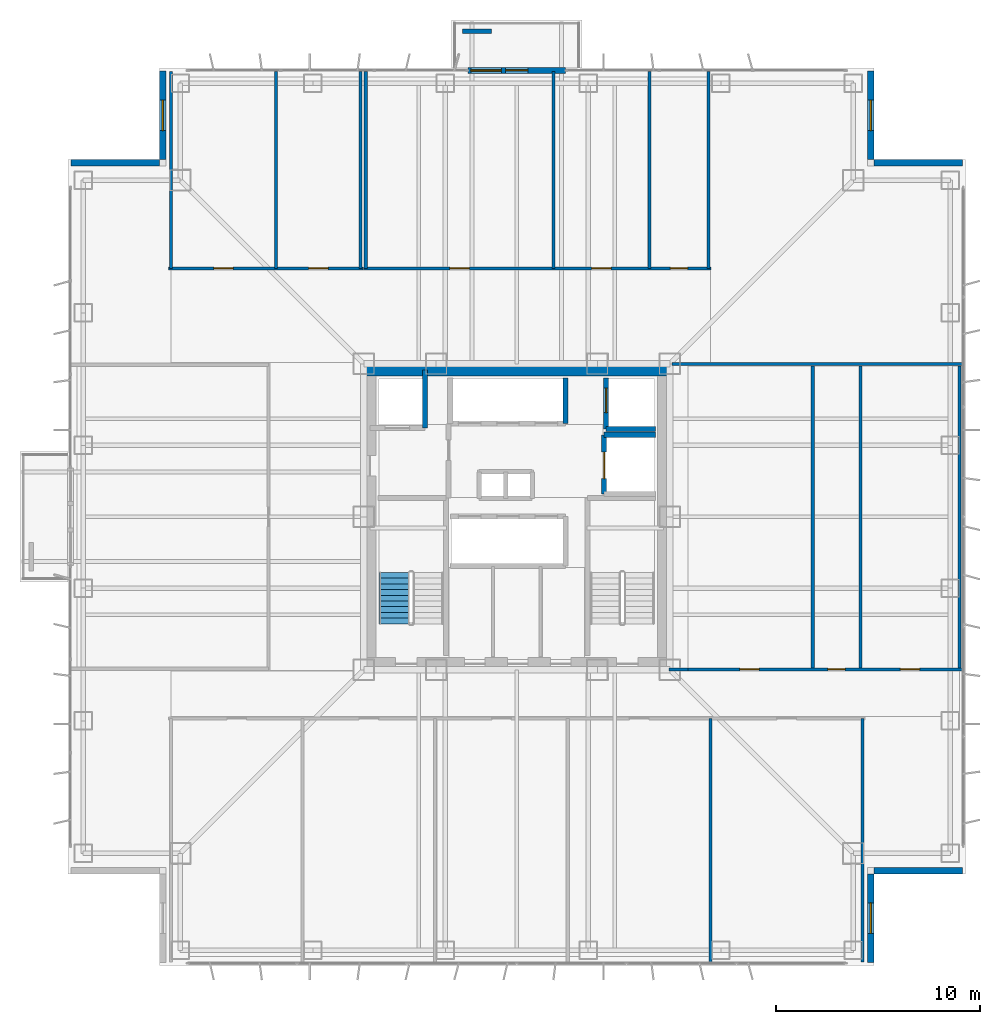
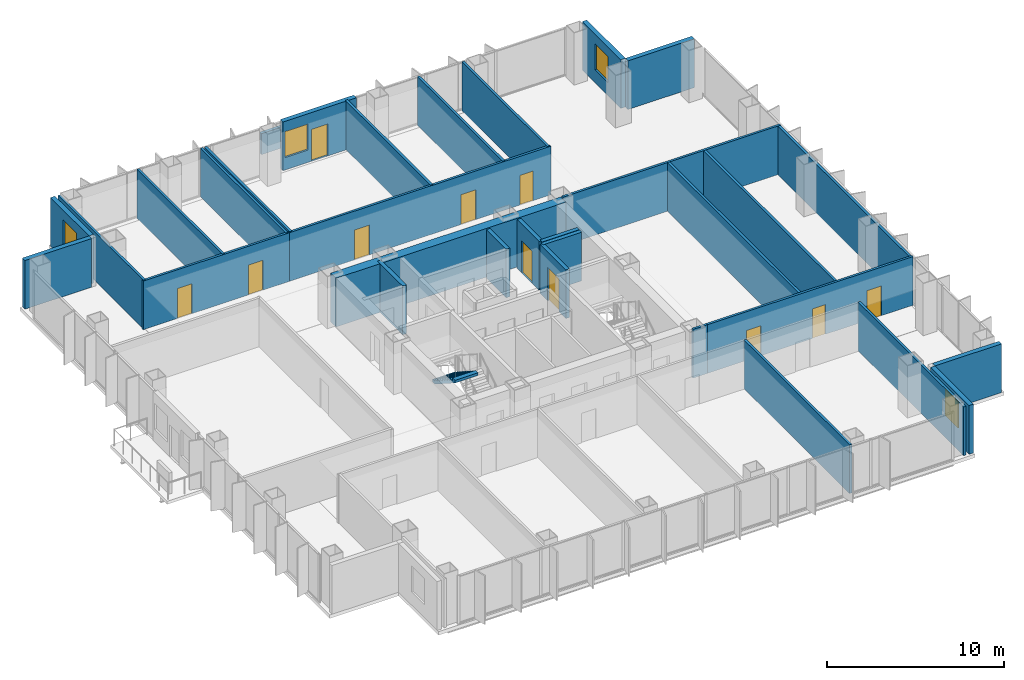
# One storey, part 11 of 15: 32 walls, 11 doors, 4 windows, 1 stair flight, 15 openings, 1 element without a shape of its own.
"""IFC4 building model written with IfcOpenShell, lengths in metres."""

import ifcopenshell
import ifcopenshell.guid

model = None  # the IFC model being written
_history = None  # IfcOwnerHistory: only IFC2X3 demands one
_inside = {}  # id of a spatial element -> (the spatial element, [elements in it])
_under = {}  # id of a project, library or spatial element -> (it, [spatial elements below it])
_declared = {}  # id of a project -> (the project, [libraries it declares])
_typed = {}  # id of a type object -> (the type object, [elements of that type])
_made_of = {}  # id of a material, layer set ... -> (it, [elements and type objects made of it])


def new_model(schema):
    """Start an empty IFC model of exactly this schema.

    Asked for "IFC4X3", IfcOpenShell would pick the latest addendum, in which some entities
    have other attributes; the version numbers below select the first issue.
    IFC2X3 requires an IfcOwnerHistory on every rooted entity: one is made here for all.
    """
    global model, _history
    if schema == "IFC4X3":
        model = ifcopenshell.file(schema_version=(4, 3, 0, 0))
    else:
        model = ifcopenshell.file(schema=schema)
    _inside.clear()
    _under.clear()
    _declared.clear()
    _typed.clear()
    _made_of.clear()
    _history = None
    if model.schema == "IFC2X3":
        org = make("IfcOrganization", Name="unknown")
        user = make(
            "IfcPersonAndOrganization",
            ThePerson=make("IfcPerson", FamilyName="unknown"),
            TheOrganization=org,
        )
        app = make(
            "IfcApplication",
            ApplicationDeveloper=org,
            Version="unknown",
            ApplicationFullName="unknown",
            ApplicationIdentifier="unknown",
        )
        _history = make(
            "IfcOwnerHistory",
            OwningUser=user,
            OwningApplication=app,
            ChangeAction="ADDED",
            CreationDate=0,
        )
    return model


def make(cls, **values):
    """One entity of the class cls with the attributes given. An attribute that is None is left unset."""
    return model.create_entity(
        cls, **{name: value for name, value in values.items() if value is not None}
    )


def rooted(cls, **values):
    """An entity with a GlobalId (a new one), such as an element, a storey or a relation."""
    return make(cls, GlobalId=ifcopenshell.guid.new(), OwnerHistory=_history, **values)


def si_unit(unit_type, name, prefix=None):
    """IfcSIUnit, for example si_unit("LENGTHUNIT", "METRE", prefix="MILLI")."""
    return make("IfcSIUnit", UnitType=unit_type, Prefix=prefix, Name=name)


def assignment(units):
    """IfcUnitAssignment: the units of a project."""
    return None if units is None else make("IfcUnitAssignment", Units=units)


def point(xyz):
    """IfcCartesianPoint."""
    return None if xyz is None else make("IfcCartesianPoint", Coordinates=xyz)


def direction(xyz):
    """IfcDirection."""
    return None if xyz is None else make("IfcDirection", DirectionRatios=xyz)


def frame(location, z_axis=None, x_axis=None):
    """IfcAxis2Placement3D, a coordinate frame: its origin and axes. An axis left out is left unset."""
    return make(
        "IfcAxis2Placement3D",
        Location=point(location),
        Axis=direction(z_axis),
        RefDirection=direction(x_axis),
    )


def frame_2d(location, x_axis=None):
    """IfcAxis2Placement2D, a coordinate frame in the plane: its origin and x axis."""
    return make(
        "IfcAxis2Placement2D", Location=point(location), RefDirection=direction(x_axis)
    )


def origin():
    """The frame at (0, 0, 0) with its axes left unset."""
    return frame((0.0, 0.0, 0.0))


def place(relative_to, where):
    """IfcLocalPlacement: puts the frame where relative to a parent placement (None: the world)."""
    return make(
        "IfcLocalPlacement", PlacementRelTo=relative_to, RelativePlacement=where
    )


def context(
    kind, dimensions, precision=None, world=None, true_north=None, identifier=None
):
    """IfcGeometricRepresentationContext, for example the 3D "Model" context."""
    return make(
        "IfcGeometricRepresentationContext",
        ContextIdentifier=identifier,
        ContextType=kind,
        CoordinateSpaceDimension=dimensions,
        Precision=precision,
        WorldCoordinateSystem=world,
        TrueNorth=true_north,
    )


def subcontext(parent, identifier, kind, view, scale=None):
    """IfcGeometricRepresentationSubContext, for example "Body" below "Model"."""
    return make(
        "IfcGeometricRepresentationSubContext",
        ContextIdentifier=identifier,
        ContextType=kind,
        ParentContext=parent,
        TargetScale=scale,
        TargetView=view,
    )


def project(units=None, contexts=None):
    """IfcProject with its units and contexts."""
    return rooted(
        "IfcProject",
        Name="project",
        RepresentationContexts=contexts,
        UnitsInContext=assignment(units),
    )


def spatial(cls, under=None, at=None, **own):
    """A site, building, storey or space (cls), placed at a placement, below another one or the project."""
    s = rooted(cls, ObjectPlacement=at, **own)
    if under is not None:
        _under.setdefault(under.id(), (under, []))[1].append(s)
    return s


def polyline(points):
    """IfcPolyline through the points."""
    return make("IfcPolyline", Points=[point(p) for p in points])


def profile(cls, at=None, kind="AREA", **sizes):
    """A parametric profile (cls). Its sizes go by their IFC names, for example OverallWidth=200.0."""
    return make(cls, ProfileType=kind, Position=at, **sizes)


def rectangle(**sizes):
    """IfcRectangleProfileDef."""
    return profile("IfcRectangleProfileDef", **sizes)


def outline(outer, holes=None, kind="AREA"):
    """IfcArbitraryClosedProfileDef: a profile drawn as a closed curve; with holes, ...WithVoids."""
    if holes is None:
        return make("IfcArbitraryClosedProfileDef", ProfileType=kind, OuterCurve=outer)
    return make(
        "IfcArbitraryProfileDefWithVoids",
        ProfileType=kind,
        OuterCurve=outer,
        InnerCurves=holes,
    )


def extrude(swept, where, along, depth):
    """IfcExtrudedAreaSolid: the profile swept, set in the frame where, extruded along a direction by depth."""
    return make(
        "IfcExtrudedAreaSolid",
        SweptArea=swept,
        Position=where,
        ExtrudedDirection=direction(along),
        Depth=depth,
    )


def shape(context_of_items, identifier, shape_type, items):
    """IfcShapeRepresentation: the items that make up one representation, for example the "Body"."""
    return make(
        "IfcShapeRepresentation",
        ContextOfItems=context_of_items,
        RepresentationIdentifier=identifier,
        RepresentationType=shape_type,
        Items=items,
    )


def material(Name=None, Category=None):
    """IfcMaterial."""
    return make("IfcMaterial", Name=Name, Category=Category)


def layer(
    of_material, thickness, ventilated=None, Name=None, Category=None, Priority=None
):
    """IfcMaterialLayer: one layer of a wall or slab, of a material (None: an air gap)."""
    return make(
        "IfcMaterialLayer",
        Material=of_material,
        LayerThickness=thickness,
        IsVentilated=ventilated,
        Name=Name,
        Category=Category,
        Priority=Priority,
    )


def layer_set(layers, Name=None):
    """IfcMaterialLayerSet."""
    return make("IfcMaterialLayerSet", MaterialLayers=layers, LayerSetName=Name)


def made_of(thing, what):
    """Note that an element or type object is made of a material, layer set ...; save() writes the relation."""
    if what is not None:
        _made_of.setdefault(what.id(), (what, []))[1].append(thing)
    return thing


def type_object(cls, material=None, **own):
    """A type object (cls), such as IfcWallType, which elements share."""
    return made_of(rooted(cls, **own), material)


def element(
    cls,
    number,
    at=None,
    inside=None,
    cuts=None,
    type_object=None,
    material=None,
    context=None,
    identifier="Body",
    shape_type=None,
    held_by="IfcProductDefinitionShape",
    body=None,
    shapes=None,
    **own,
):
    """One element of the class cls, such as IfcWall. Its Tag is "e" and its number.

    at: its placement. inside: the storey or other place that contains it. cuts: it is an
    opening in that element (IfcRelVoidsElement). A single representation is given by context,
    identifier, shape_type and body (its items); several are given by shapes. held_by: the class
    of the entity that holds the representations. save() writes the other relations.
    """
    e = rooted(cls, Tag="e%d" % number, ObjectPlacement=at, **own)
    if body is not None:
        shapes = [shape(context, identifier, shape_type, body)]
    if shapes is not None:
        e.Representation = make(held_by, Representations=shapes)
    if inside is not None:
        _inside.setdefault(inside.id(), (inside, []))[1].append(e)
    if cuts is not None:
        rooted(
            "IfcRelVoidsElement", RelatingBuildingElement=cuts, RelatedOpeningElement=e
        )
    if type_object is not None:
        _typed.setdefault(type_object.id(), (type_object, []))[1].append(e)
    return made_of(e, material)


def fill(opening, filler):
    """IfcRelFillsElement: the door or window that sits in an opening."""
    return rooted(
        "IfcRelFillsElement",
        RelatingOpeningElement=opening,
        RelatedBuildingElement=filler,
    )


def aggregate(whole, parts):
    """IfcRelAggregates: a whole, such as a stair, and the parts it consists of."""
    return rooted("IfcRelAggregates", RelatingObject=whole, RelatedObjects=parts)


def save(model, path):
    """Write the relations noted so far, then the file.

    IfcRelAggregates (storeys below a building ...), IfcRelContainedInSpatialStructure (elements
    in a storey), IfcRelDefinesByType, IfcRelAssociatesMaterial and IfcRelDeclares: one each for
    every whole, place, type object, material and project.
    """
    for whole, parts in _under.values():
        aggregate(whole, parts)
    for where, things in _inside.values():
        rooted(
            "IfcRelContainedInSpatialStructure",
            RelatedElements=things,
            RelatingStructure=where,
        )
    for kind, things in _typed.values():
        rooted("IfcRelDefinesByType", RelatedObjects=things, RelatingType=kind)
    for what, things in _made_of.values():
        rooted("IfcRelAssociatesMaterial", RelatedObjects=things, RelatingMaterial=what)
    for by, libraries in _declared.values():
        rooted("IfcRelDeclares", RelatingContext=by, RelatedDefinitions=libraries)
    model.write(path)


model = new_model("IFC4")

# Units and contexts
model_context = context("Model", 3, precision=1e-05, world=origin(), true_north=direction((0.0, 1.0)))
body_context = subcontext(model_context, "Body", "Model", "MODEL_VIEW")
ifc_project = project(units=[si_unit("LENGTHUNIT", "METRE"), si_unit("AREAUNIT", "SQUARE_METRE"), si_unit("VOLUMEUNIT", "CUBIC_METRE"), si_unit("PLANEANGLEUNIT", "RADIAN"), si_unit("MASSUNIT", "GRAM", prefix="KILO")], contexts=[model_context])

# Site, building, storey
site_placement = place(None, origin())
site = spatial("IfcSite", under=ifc_project, at=site_placement, CompositionType="ELEMENT")
building_placement = place(site_placement, origin())
building = spatial("IfcBuilding", under=site, at=building_placement, Name="Trevonay Congress Spire", CompositionType="ELEMENT")
storey_placement = place(building_placement, frame((0.0, 0.0, 115.60009765625)))
storey = spatial("IfcBuildingStorey", under=building, at=storey_placement, Name="L29", CompositionType="ELEMENT", Elevation=115.60009765625)

# Wall
ifc_material_1 = material(Name="Concrete C60/75", Category="concrete")
ifc_layer_1 = layer(ifc_material_1, 0.60009765625, Name="Concrete C60/75")
ifc_layer_set_1 = layer_set([ifc_layer_1], Name="Concrete C60/75")
wall_type_1 = type_object("IfcWallType", Name="WAL-CORE-600", PredefinedType="SHEAR", material=ifc_layer_set_1)
wall_1_placement = place(storey_placement, frame((-7.5, 7.199951171875, 0.0), z_axis=(0.0, 0.0, 1.0), x_axis=(1.0, 0.0, 0.0)))
element("IfcWall", 1, at=wall_1_placement, inside=storey, type_object=wall_type_1, Name="L29 North structural core shear wall", PredefinedType="SHEAR", context=body_context, shape_type="SweptSolid", body=[
    extrude(rectangle(XDim=15.0, YDim=0.60009765625, at=frame_2d((7.5, 0.0))), origin(), (0.0, 0.0, 1.0), 3.35986328125),
])

# Wall, openings, doors
ifc_material_2 = material(Name="Concrete C40/50", Category="concrete")
ifc_layer_2 = layer(ifc_material_2, 0.14990234375, Name="Concrete C40/50")
ifc_layer_set_2 = layer_set([ifc_layer_2], Name="Concrete C40/50")
wall_type_2 = type_object("IfcWallType", Name="WAL-CORR-150", PredefinedType="PARTITIONING", material=ifc_layer_set_2)
wall_2_placement = place(storey_placement, frame((-17.070068359375, 12.179931640625, 0.0), z_axis=(0.0, 0.0, 1.0), x_axis=(1.0, 0.0, 0.0)))
wall_2 = element("IfcWall", 2, at=wall_2_placement, inside=storey, type_object=wall_type_2, Name="L29 interior wall WP-L29NW-COR", PredefinedType="PARTITIONING", context=body_context, shape_type="SweptSolid", body=[
    extrude(rectangle(XDim=9.5400390625, YDim=0.14990234375, at=frame_2d((4.77001953125, 0.0))), origin(), (0.0, 0.0, 1.0), 3.35986328125),
])
opening_1_placement = place(wall_2_placement, frame((2.219970703125, 0.0, 0.0)))
opening_1 = element("IfcOpeningElement", 3, at=opening_1_placement, cuts=wall_2, Name="Opening D07", PredefinedType="OPENING", context=body_context, shape_type="SweptSolid", body=[
    extrude(rectangle(XDim=0.949951171875, YDim=2.06005859375, at=frame_2d((0.47509765625, 1.030029296875))), frame((0.0, 0.0849609375, 0.0), z_axis=(0.0, -1.0, 0.0), x_axis=(1.0, 0.0, 0.0)), (0.0, 0.0, 1.0), 0.169921875),
])
opening_2_placement = place(wall_2_placement, frame((6.8701171875, 0.0, 0.0)))
opening_2 = element("IfcOpeningElement", 4, at=opening_2_placement, cuts=wall_2, Name="Opening D07", PredefinedType="OPENING", context=body_context, shape_type="SweptSolid", body=[
    extrude(rectangle(XDim=0.949951171875, YDim=2.06005859375, at=frame_2d((0.47509765625, 1.030029296875))), frame((0.0, 0.0849609375, 0.0), z_axis=(0.0, -1.0, 0.0), x_axis=(1.0, 0.0, 0.0)), (0.0, 0.0, 1.0), 0.169921875),
])
ifc_material_3 = material(Name="Pale Anodised Aluminium EN AW-6063-T6", Category="aluminium")
door_type_1 = type_object("IfcDoorType", Name="DOR-OFFICE-95", OperationType="NOTDEFINED", PredefinedType="DOOR", material=ifc_material_3)
door_1_placement = place(opening_1_placement, origin())
door_1 = element("IfcDoor", 5, at=door_1_placement, inside=storey, type_object=door_type_1, Name="L29 Archive Registry Office Door", OperationType="SINGLE_SWING_RIGHT", OverallHeight=2.06005859375, OverallWidth=0.949951171875, PredefinedType="DOOR", context=body_context, shape_type="SweptSolid", body=[
    extrude(rectangle(XDim=0.949951171875, YDim=2.06005859375, at=frame_2d((0.47509765625, 1.030029296875))), frame((0.0, 0.02490234375, 0.0), z_axis=(0.0, -1.0, 0.0), x_axis=(1.0, 0.0, 0.0)), (0.0, 0.0, 1.0), 0.050048828125),
])
fill(opening_1, door_1)
door_2_placement = place(opening_2_placement, origin())
door_2 = element("IfcDoor", 6, at=door_2_placement, inside=storey, type_object=door_type_1, Name="L29 Staff Coffee Kitchen Door", OperationType="SINGLE_SWING_LEFT", OverallHeight=2.06005859375, OverallWidth=0.949951171875, PredefinedType="DOOR", context=body_context, shape_type="SweptSolid", body=[
    extrude(rectangle(XDim=0.949951171875, YDim=2.06005859375, at=frame_2d((0.47509765625, 1.030029296875))), frame((0.0, 0.02490234375, 0.0), z_axis=(0.0, -1.0, 0.0), x_axis=(1.0, 0.0, 0.0)), (0.0, 0.0, 1.0), 0.050048828125),
])
fill(opening_2, door_2)

wall_3_placement = place(storey_placement, frame((-7.52001953125, 12.179931640625, 0.0), z_axis=(0.0, 0.0, 1.0), x_axis=(1.0, 0.0, 0.0)))
wall_3 = element("IfcWall", 7, at=wall_3_placement, inside=storey, type_object=wall_type_2, Name="L29 interior wall WP-L29NE-COR", PredefinedType="PARTITIONING", context=body_context, shape_type="SweptSolid", body=[
    extrude(rectangle(XDim=17.0400390625, YDim=0.14990234375, at=frame_2d((8.52001953125, 0.0))), origin(), (0.0, 0.0, 1.0), 3.35986328125),
])
opening_3_placement = place(wall_3_placement, frame((4.2451171875, 0.0, 0.0)))
opening_3 = element("IfcOpeningElement", 8, at=opening_3_placement, cuts=wall_3, Name="Opening D07", PredefinedType="OPENING", context=body_context, shape_type="SweptSolid", body=[
    extrude(rectangle(XDim=0.949951171875, YDim=2.06005859375, at=frame_2d((0.47509765625, 1.030029296875))), frame((0.0, 0.0849609375, 0.0), z_axis=(0.0, -1.0, 0.0), x_axis=(1.0, 0.0, 0.0)), (0.0, 0.0, 1.0), 0.169921875),
])
opening_4_placement = place(wall_3_placement, frame((11.195068359375, 0.0, 0.0)))
opening_4 = element("IfcOpeningElement", 9, at=opening_4_placement, cuts=wall_3, Name="Opening D07", PredefinedType="OPENING", context=body_context, shape_type="SweptSolid", body=[
    extrude(rectangle(XDim=0.949951171875, YDim=2.06005859375, at=frame_2d((0.47509765625, 1.030029296875))), frame((0.0, 0.0849609375, 0.0), z_axis=(0.0, -1.0, 0.0), x_axis=(1.0, 0.0, 0.0)), (0.0, 0.0, 1.0), 0.169921875),
])
opening_5_placement = place(wall_3_placement, frame((15.044921875, 0.0, 0.0)))
opening_5 = element("IfcOpeningElement", 10, at=opening_5_placement, cuts=wall_3, Name="Opening D10", PredefinedType="OPENING", context=body_context, shape_type="SweptSolid", body=[
    extrude(rectangle(XDim=0.85009765625, YDim=2.050048828125, at=frame_2d((0.425048828125, 1.02490234375))), frame((0.0, 0.0849609375, 0.0), z_axis=(0.0, -1.0, 0.0), x_axis=(1.0, 0.0, 0.0)), (0.0, 0.0, 1.0), 0.169921875),
])
door_3_placement = place(opening_3_placement, origin())
door_3 = element("IfcDoor", 11, at=door_3_placement, inside=storey, type_object=door_type_1, Name="L29 North-East Policy Analysts Office Door", OperationType="SINGLE_SWING_RIGHT", OverallHeight=2.06005859375, OverallWidth=0.949951171875, PredefinedType="DOOR", context=body_context, shape_type="SweptSolid", body=[
    extrude(rectangle(XDim=0.949951171875, YDim=2.06005859375, at=frame_2d((0.47509765625, 1.030029296875))), frame((0.0, 0.02490234375, 0.0), z_axis=(0.0, -1.0, 0.0), x_axis=(1.0, 0.0, 0.0)), (0.0, 0.0, 1.0), 0.050048828125),
])
fill(opening_3, door_3)
door_4_placement = place(opening_4_placement, origin())
door_4 = element("IfcDoor", 12, at=door_4_placement, inside=storey, type_object=door_type_1, Name="L29 Project Review Room Door", OperationType="SINGLE_SWING_LEFT", OverallHeight=2.06005859375, OverallWidth=0.949951171875, PredefinedType="DOOR", context=body_context, shape_type="SweptSolid", body=[
    extrude(rectangle(XDim=0.949951171875, YDim=2.06005859375, at=frame_2d((0.47509765625, 1.030029296875))), frame((0.0, 0.02490234375, 0.0), z_axis=(0.0, -1.0, 0.0), x_axis=(1.0, 0.0, 0.0)), (0.0, 0.0, 1.0), 0.050048828125),
])
fill(opening_4, door_4)
door_type_2 = type_object("IfcDoorType", Name="DOR-WC-85", OperationType="NOTDEFINED", PredefinedType="DOOR", material=ifc_material_3)
door_5_placement = place(opening_5_placement, origin())
door_5 = element("IfcDoor", 13, at=door_5_placement, inside=storey, type_object=door_type_2, Name="L29 Female Restroom WC Door", OperationType="SINGLE_SWING_RIGHT", OverallHeight=2.050048828125, OverallWidth=0.85009765625, PredefinedType="DOOR", context=body_context, shape_type="SweptSolid", body=[
    extrude(rectangle(XDim=0.85009765625, YDim=2.050048828125, at=frame_2d((0.425048828125, 1.02490234375))), frame((0.0, 0.02490234375, 0.0), z_axis=(0.0, -1.0, 0.0), x_axis=(1.0, 0.0, 0.0)), (0.0, 0.0, 1.0), 0.050048828125),
])
fill(opening_5, door_5)

# Wall
wall_4_placement = place(storey_placement, frame((7.449951171875, -7.47998046875, 0.0), z_axis=(0.0, 0.0, 1.0), x_axis=(1.0, 0.0, 0.0)))
element("IfcWall", 14, at=wall_4_placement, inside=storey, type_object=wall_type_2, Name="L29 interior wall WP-L29E-STUB", PredefinedType="PARTITIONING", context=body_context, shape_type="SweptSolid", body=[
    extrude(rectangle(XDim=0.949951171875, YDim=0.14990234375, at=frame_2d((0.47509765625, 0.0))), origin(), (0.0, 0.0, 1.0), 3.35986328125),
])

# Wall, openings, doors
wall_5_placement = place(storey_placement, frame((8.280029296875, -7.47998046875, 0.0), z_axis=(0.0, 0.0, 1.0), x_axis=(1.0, 0.0, 0.0)))
wall_5 = element("IfcWall", 15, at=wall_5_placement, inside=storey, type_object=wall_type_2, Name="L29 interior wall WP-L29E-COR", PredefinedType="PARTITIONING", context=body_context, shape_type="SweptSolid", body=[
    extrude(rectangle(XDim=13.5400390625, YDim=0.14990234375, at=frame_2d((6.77001953125, 0.0))), origin(), (0.0, 0.0, 1.0), 3.35986328125),
])
opening_6_placement = place(wall_5_placement, frame((2.655029296875, 0.0, 0.0)))
opening_6 = element("IfcOpeningElement", 16, at=opening_6_placement, cuts=wall_5, Name="Opening D07", PredefinedType="OPENING", context=body_context, shape_type="SweptSolid", body=[
    extrude(rectangle(XDim=0.949951171875, YDim=2.06005859375, at=frame_2d((0.47509765625, 1.030029296875))), frame((0.0, 0.0849609375, 0.0), z_axis=(0.0, -1.0, 0.0), x_axis=(1.0, 0.0, 0.0)), (0.0, 0.0, 1.0), 0.169921875),
])
opening_7_placement = place(wall_5_placement, frame((6.969970703125, 0.0, 0.0)))
opening_7 = element("IfcOpeningElement", 17, at=opening_7_placement, cuts=wall_5, Name="Opening D10", PredefinedType="OPENING", context=body_context, shape_type="SweptSolid", body=[
    extrude(rectangle(XDim=0.85009765625, YDim=2.050048828125, at=frame_2d((0.425048828125, 1.02490234375))), frame((0.0, 0.0849609375, 0.0), z_axis=(0.0, -1.0, 0.0), x_axis=(1.0, 0.0, 0.0)), (0.0, 0.0, 1.0), 0.169921875),
])
opening_8_placement = place(wall_5_placement, frame((10.52001953125, 0.0, 0.0)))
opening_8 = element("IfcOpeningElement", 18, at=opening_8_placement, cuts=wall_5, Name="Opening D07", PredefinedType="OPENING", context=body_context, shape_type="SweptSolid", body=[
    extrude(rectangle(XDim=0.949951171875, YDim=2.06005859375, at=frame_2d((0.47509765625, 1.030029296875))), frame((0.0, 0.0849609375, 0.0), z_axis=(0.0, -1.0, 0.0), x_axis=(1.0, 0.0, 0.0)), (0.0, 0.0, 1.0), 0.169921875),
])
door_6_placement = place(opening_6_placement, origin())
door_6 = element("IfcDoor", 19, at=door_6_placement, inside=storey, type_object=door_type_1, Name="L29 East Secretariat Office Door", OperationType="SINGLE_SWING_LEFT", OverallHeight=2.06005859375, OverallWidth=0.949951171875, PredefinedType="DOOR", context=body_context, shape_type="SweptSolid", body=[
    extrude(rectangle(XDim=0.949951171875, YDim=2.06005859375, at=frame_2d((0.47509765625, 1.030029296875))), frame((0.0, 0.02490234375, 0.0), z_axis=(0.0, -1.0, 0.0), x_axis=(1.0, 0.0, 0.0)), (0.0, 0.0, 1.0), 0.050048828125),
])
fill(opening_6, door_6)
door_7_placement = place(opening_8_placement, origin())
door_7 = element("IfcDoor", 20, at=door_7_placement, inside=storey, type_object=door_type_1, Name="L29 Floor Supplies and Copy Room Door", OperationType="SINGLE_SWING_LEFT", OverallHeight=2.06005859375, OverallWidth=0.949951171875, PredefinedType="DOOR", context=body_context, shape_type="SweptSolid", body=[
    extrude(rectangle(XDim=0.949951171875, YDim=2.06005859375, at=frame_2d((0.47509765625, 1.030029296875))), frame((0.0, 0.02490234375, 0.0), z_axis=(0.0, -1.0, 0.0), x_axis=(1.0, 0.0, 0.0)), (0.0, 0.0, 1.0), 0.050048828125),
])
fill(opening_8, door_7)
door_8_placement = place(opening_7_placement, origin())
door_8 = element("IfcDoor", 21, at=door_8_placement, inside=storey, type_object=door_type_2, Name="L29 Male Restroom WC Door", OperationType="SINGLE_SWING_RIGHT", OverallHeight=2.050048828125, OverallWidth=0.85009765625, PredefinedType="DOOR", context=body_context, shape_type="SweptSolid", body=[
    extrude(rectangle(XDim=0.85009765625, YDim=2.050048828125, at=frame_2d((0.425048828125, 1.02490234375))), frame((0.0, 0.02490234375, 0.0), z_axis=(0.0, -1.0, 0.0), x_axis=(1.0, 0.0, 0.0)), (0.0, 0.0, 1.0), 0.050048828125),
])
fill(opening_7, door_8)

# Wall, openings, door, window
ifc_material_4 = material(Name="Precast concrete C40/50", Category="concrete")
ifc_layer_3 = layer(ifc_material_4, 0.300048828125, Name="Precast concrete C40/50")
ifc_layer_set_3 = layer_set([ifc_layer_3], Name="Precast concrete C40/50")
wall_type_3 = type_object("IfcWallType", Name="WAL-EXT-PRECAST-300", PredefinedType="SOLIDWALL", material=ifc_layer_set_3)
wall_6_placement = place(storey_placement, frame((-2.39990234375, 21.8798828125, 0.0), z_axis=(0.0, 0.0, 1.0), x_axis=(1.0, 0.0, 0.0)))
wall_6 = element("IfcWall", 22, at=wall_6_placement, inside=storey, type_object=wall_type_3, Name="L29 N glazed balcony portal exterior wall", PredefinedType="SOLIDWALL", context=body_context, shape_type="SweptSolid", body=[
    extrude(rectangle(XDim=4.7998046875, YDim=0.300048828125, at=frame_2d((2.39990234375, 0.0))), origin(), (0.0, 0.0, 1.0), 3.35986328125),
])
opening_9_placement = place(wall_6_placement, frame((1.85009765625, 0.0, 0.0)))
opening_9 = element("IfcOpeningElement", 23, at=opening_9_placement, cuts=wall_6, Name="Opening D03", PredefinedType="OPENING", context=body_context, shape_type="SweptSolid", body=[
    extrude(rectangle(XDim=1.10009765625, YDim=2.199951171875, at=frame_2d((0.550048828125, 1.10009765625))), frame((0.0, 0.16015625, 0.0), z_axis=(0.0, -1.0, 0.0), x_axis=(1.0, 0.0, 0.0)), (0.0, 0.0, 1.0), 0.320068359375),
])
opening_10_placement = place(wall_6_placement, frame((0.14990234375, 0.0, 0.85009765625)))
opening_10 = element("IfcOpeningElement", 24, at=opening_10_placement, cuts=wall_6, Name="Opening WN03", PredefinedType="OPENING", context=body_context, shape_type="SweptSolid", body=[
    extrude(rectangle(XDim=1.5, YDim=1.800048828125, at=frame_2d((0.75, 0.89990234375))), frame((0.0, 0.16015625, 0.0), z_axis=(0.0, -1.0, 0.0), x_axis=(1.0, 0.0, 0.0)), (0.0, 0.0, 1.0), 0.320068359375),
])
door_type_3 = type_object("IfcDoorType", Name="DOR-EXT-BAL-110", OperationType="NOTDEFINED", PredefinedType="DOOR", material=ifc_material_3)
door_9_placement = place(opening_9_placement, origin())
door_9 = element("IfcDoor", 25, at=door_9_placement, inside=storey, type_object=door_type_3, Name="L29 N glazed outdoor terrace and balcony door", OperationType="SINGLE_SWING_RIGHT", OverallHeight=2.199951171875, OverallWidth=1.10009765625, PredefinedType="DOOR", context=body_context, shape_type="SweptSolid", body=[
    extrude(rectangle(XDim=1.10009765625, YDim=2.199951171875, at=frame_2d((0.550048828125, 1.10009765625))), frame((0.0, 0.02490234375, 0.0), z_axis=(0.0, -1.0, 0.0), x_axis=(1.0, 0.0, 0.0)), (0.0, 0.0, 1.0), 0.050048828125),
])
fill(opening_9, door_9)
ifc_material_5 = material(Name="Insulated Low-E Vision Glass IGU", Category="glass")
window_type = type_object("IfcWindowType", Name="WIN-NOTCH-150X180", PartitioningType="SINGLE_PANEL", PredefinedType="WINDOW", material=ifc_material_5)
window_1_placement = place(opening_10_placement, origin())
window_1 = element("IfcWindow", 26, at=window_1_placement, inside=storey, type_object=window_type, Name="L29 N balcony sidelight window L", OverallHeight=1.800048828125, OverallWidth=1.5, PartitioningType="SINGLE_PANEL", PredefinedType="WINDOW", context=body_context, shape_type="SweptSolid", body=[
    extrude(rectangle(XDim=1.5, YDim=1.800048828125, at=frame_2d((0.75, 0.89990234375))), frame((0.0, 0.030029296875, 0.0), z_axis=(0.0, -1.0, 0.0), x_axis=(1.0, 0.0, 0.0)), (0.0, 0.0, 1.0), 0.06005859375),
])
fill(opening_10, window_1)

# Wall, opening, window
wall_7_placement = place(storey_placement, frame((17.35009765625, -21.85009765625, 0.0), z_axis=(0.0, 0.0, 1.0), x_axis=(0.0, 1.0, 0.0)))
wall_7 = element("IfcWall", 27, at=wall_7_placement, inside=storey, type_object=wall_type_3, Name="L29 SE re-entrant notch exterior wall 1", PredefinedType="SOLIDWALL", context=body_context, shape_type="SweptSolid", body=[
    extrude(rectangle(XDim=4.35009765625, YDim=0.300048828125, at=frame_2d((2.175048828125, 0.0))), origin(), (0.0, 0.0, 1.0), 3.35986328125),
])
opening_11_placement = place(wall_7_placement, frame((1.425048828125, 0.0, 0.89990234375)))
opening_11 = element("IfcOpeningElement", 28, at=opening_11_placement, cuts=wall_7, Name="Opening WN03", PredefinedType="OPENING", context=body_context, shape_type="SweptSolid", body=[
    extrude(rectangle(XDim=1.5, YDim=1.800048828125, at=frame_2d((0.75, 0.89990234375))), frame((0.0, 0.16015625, 0.0), z_axis=(0.0, -1.0, 0.0), x_axis=(1.0, 0.0, 0.0)), (0.0, 0.0, 1.0), 0.320068359375),
])
window_2_placement = place(opening_11_placement, origin())
window_2 = element("IfcWindow", 29, at=window_2_placement, inside=storey, type_object=window_type, Name="L29 SE corner notch window", OverallHeight=1.800048828125, OverallWidth=1.5, PartitioningType="SINGLE_PANEL", PredefinedType="WINDOW", context=body_context, shape_type="SweptSolid", body=[
    extrude(rectangle(XDim=1.5, YDim=1.800048828125, at=frame_2d((0.75, 0.89990234375))), frame((0.0, 0.030029296875, 0.0), z_axis=(0.0, -1.0, 0.0), x_axis=(1.0, 0.0, 0.0)), (0.0, 0.0, 1.0), 0.06005859375),
])
fill(opening_11, window_2)

# Wall
wall_8_placement = place(storey_placement, frame((21.85009765625, -17.35009765625, 0.0), z_axis=(0.0, 0.0, 1.0), x_axis=(-1.0, 0.0, 0.0)))
element("IfcWall", 30, at=wall_8_placement, inside=storey, type_object=wall_type_3, Name="L29 SE re-entrant notch exterior wall 2", PredefinedType="SOLIDWALL", context=body_context, shape_type="SweptSolid", body=[
    extrude(rectangle(XDim=4.35009765625, YDim=0.300048828125, at=frame_2d((2.175048828125, 0.0))), origin(), (0.0, 0.0, 1.0), 3.35986328125),
])

# Wall, opening, window
wall_9_placement = place(storey_placement, frame((17.35009765625, 21.85009765625, 0.0), z_axis=(0.0, 0.0, 1.0), x_axis=(0.0, -1.0, 0.0)))
wall_9 = element("IfcWall", 31, at=wall_9_placement, inside=storey, type_object=wall_type_3, Name="L29 NE re-entrant notch exterior wall 1", PredefinedType="SOLIDWALL", context=body_context, shape_type="SweptSolid", body=[
    extrude(rectangle(XDim=4.35009765625, YDim=0.300048828125, at=frame_2d((2.175048828125, 0.0))), origin(), (0.0, 0.0, 1.0), 3.35986328125),
])
opening_12_placement = place(wall_9_placement, frame((1.425048828125, 0.0, 0.89990234375)))
opening_12 = element("IfcOpeningElement", 32, at=opening_12_placement, cuts=wall_9, Name="Opening WN03", PredefinedType="OPENING", context=body_context, shape_type="SweptSolid", body=[
    extrude(rectangle(XDim=1.5, YDim=1.800048828125, at=frame_2d((0.75, 0.89990234375))), frame((0.0, 0.16015625, 0.0), z_axis=(0.0, -1.0, 0.0), x_axis=(1.0, 0.0, 0.0)), (0.0, 0.0, 1.0), 0.320068359375),
])
window_3_placement = place(opening_12_placement, origin())
window_3 = element("IfcWindow", 33, at=window_3_placement, inside=storey, type_object=window_type, Name="L29 NE corner notch window", OverallHeight=1.800048828125, OverallWidth=1.5, PartitioningType="SINGLE_PANEL", PredefinedType="WINDOW", context=body_context, shape_type="SweptSolid", body=[
    extrude(rectangle(XDim=1.5, YDim=1.800048828125, at=frame_2d((0.75, 0.89990234375))), frame((0.0, 0.030029296875, 0.0), z_axis=(0.0, -1.0, 0.0), x_axis=(1.0, 0.0, 0.0)), (0.0, 0.0, 1.0), 0.06005859375),
])
fill(opening_12, window_3)

# Wall
wall_10_placement = place(storey_placement, frame((21.85009765625, 17.35009765625, 0.0), z_axis=(0.0, 0.0, 1.0), x_axis=(-1.0, 0.0, 0.0)))
element("IfcWall", 34, at=wall_10_placement, inside=storey, type_object=wall_type_3, Name="L29 NE re-entrant notch exterior wall 2", PredefinedType="SOLIDWALL", context=body_context, shape_type="SweptSolid", body=[
    extrude(rectangle(XDim=4.35009765625, YDim=0.300048828125, at=frame_2d((2.175048828125, 0.0))), origin(), (0.0, 0.0, 1.0), 3.35986328125),
])

# Wall, opening, window
wall_11_placement = place(storey_placement, frame((-17.35009765625, 21.85009765625, 0.0), z_axis=(0.0, 0.0, 1.0), x_axis=(0.0, -1.0, 0.0)))
wall_11 = element("IfcWall", 35, at=wall_11_placement, inside=storey, type_object=wall_type_3, Name="L29 NW re-entrant notch exterior wall 1", PredefinedType="SOLIDWALL", context=body_context, shape_type="SweptSolid", body=[
    extrude(rectangle(XDim=4.35009765625, YDim=0.300048828125, at=frame_2d((2.175048828125, 0.0))), origin(), (0.0, 0.0, 1.0), 3.35986328125),
])
opening_13_placement = place(wall_11_placement, frame((1.425048828125, 0.0, 0.89990234375)))
opening_13 = element("IfcOpeningElement", 36, at=opening_13_placement, cuts=wall_11, Name="Opening WN03", PredefinedType="OPENING", context=body_context, shape_type="SweptSolid", body=[
    extrude(rectangle(XDim=1.5, YDim=1.800048828125, at=frame_2d((0.75, 0.89990234375))), frame((0.0, 0.16015625, 0.0), z_axis=(0.0, -1.0, 0.0), x_axis=(1.0, 0.0, 0.0)), (0.0, 0.0, 1.0), 0.320068359375),
])
window_4_placement = place(opening_13_placement, origin())
window_4 = element("IfcWindow", 37, at=window_4_placement, inside=storey, type_object=window_type, Name="L29 NW corner notch window", OverallHeight=1.800048828125, OverallWidth=1.5, PartitioningType="SINGLE_PANEL", PredefinedType="WINDOW", context=body_context, shape_type="SweptSolid", body=[
    extrude(rectangle(XDim=1.5, YDim=1.800048828125, at=frame_2d((0.75, 0.89990234375))), frame((0.0, 0.030029296875, 0.0), z_axis=(0.0, -1.0, 0.0), x_axis=(1.0, 0.0, 0.0)), (0.0, 0.0, 1.0), 0.06005859375),
])
fill(opening_13, window_4)

# Walls
wall_12_placement = place(storey_placement, frame((-21.85009765625, 17.35009765625, 0.0), z_axis=(0.0, 0.0, 1.0), x_axis=(1.0, 0.0, 0.0)))
element("IfcWall", 38, at=wall_12_placement, inside=storey, type_object=wall_type_3, Name="L29 NW re-entrant notch exterior wall 2", PredefinedType="SOLIDWALL", context=body_context, shape_type="SweptSolid", body=[
    extrude(rectangle(XDim=4.35009765625, YDim=0.300048828125, at=frame_2d((2.175048828125, 0.0))), origin(), (0.0, 0.0, 1.0), 3.35986328125),
])
ifc_layer_4 = layer(ifc_material_2, 0.14990234375, Name="Concrete C40/50")
ifc_layer_set_4 = layer_set([ifc_layer_4], Name="Concrete C40/50")
wall_type_4 = type_object("IfcWallType", Name="WAL-PART-150", PredefinedType="PARTITIONING", material=ifc_layer_set_4)
for number, where, z_axis, x_axis, name in (
    (39, (9.5, -21.820068359375, 0.0), (0.0, 0.0, 1.0), (0.0, 1.0, 0.0), "L29 interior wall WP-L29S-DIV5"),
    (40, (16.949951171875, -21.820068359375, 0.0), (0.0, 0.0, 1.0), (0.0, 1.0, 0.0), "L29 interior wall WP-L29S-DIV6"),
):
    element("IfcWall", number, at=place(storey_placement, frame(where, z_axis=z_axis, x_axis=x_axis)), inside=storey, type_object=wall_type_4, Name=name, PredefinedType="PARTITIONING", context=body_context, shape_type="SweptSolid", body=[
        extrude(rectangle(XDim=11.940185546875, YDim=0.14990234375, at=frame_2d((5.97021484375, 0.0))), origin(), (0.0, 0.0, 1.0), 3.35986328125),
    ])
for number, where, z_axis, x_axis, name in (
    (41, (-16.949951171875, 12.179931640625, 0.0), (0.0, 0.0, 1.0), (0.0, 1.0, 0.0), "L29 interior wall WP-L29NW-DIV1"),
    (42, (-11.800048828125, 12.179931640625, 0.0), (0.0, 0.0, 1.0), (0.0, 1.0, 0.0), "L29 interior wall WP-L29NW-DIV2"),
    (43, (-7.64990234375, 12.179931640625, 0.0), (0.0, 0.0, 1.0), (0.0, 1.0, 0.0), "L29 interior wall WP-L29NW-DIV3"),
    (44, (6.5, 12.179931640625, 0.0), (0.0, 0.0, 1.0), (0.0, 1.0, 0.0), "L29 interior wall WP-L29NE-DIV3"),
    (45, (9.39990234375, 12.179931640625, 0.0), (0.0, 0.0, 1.0), (0.0, 1.0, 0.0), "L29 interior wall WP-L29NE-DIV4"),
):
    element("IfcWall", number, at=place(storey_placement, frame(where, z_axis=z_axis, x_axis=x_axis)), inside=storey, type_object=wall_type_4, Name=name, PredefinedType="PARTITIONING", context=body_context, shape_type="SweptSolid", body=[
        extrude(rectangle(XDim=9.64013671875, YDim=0.14990234375, at=frame_2d((4.820068359375, 0.0))), origin(), (0.0, 0.0, 1.0), 3.35986328125),
    ])
wall_13_placement = place(storey_placement, frame((7.60009765625, 7.47998046875, 0.0), z_axis=(0.0, 0.0, 1.0), x_axis=(1.0, 0.0, 0.0)))
element("IfcWall", 46, at=wall_13_placement, inside=storey, type_object=wall_type_4, Name="L29 interior wall WP-L29E-NCLS", PredefinedType="PARTITIONING", context=body_context, shape_type="SweptSolid", body=[
    extrude(rectangle(XDim=14.219970703125, YDim=0.14990234375, at=frame_2d((7.10986328125, 0.0))), origin(), (0.0, 0.0, 1.0), 3.35986328125),
])
ifc_layer_5 = layer(ifc_material_2, 0.25, Name="Concrete C40/50")
ifc_layer_set_5 = layer_set([ifc_layer_5], Name="Concrete C40/50")
wall_type_5 = type_object("IfcWallType", Name="WAL-SHAFT-250", PredefinedType="SHEAR", material=ifc_layer_set_5)
wall_14_placement = place(storey_placement, frame((2.3798828125, 4.580078125, 0.0), z_axis=(0.0, 0.0, 1.0), x_axis=(0.0, 1.0, 0.0)))
element("IfcWall", 47, at=wall_14_placement, inside=storey, type_object=wall_type_5, Name="L29 interior shaft wall WSH-L29-B3-E", PredefinedType="SHEAR", context=body_context, shape_type="SweptSolid", body=[
    extrude(rectangle(XDim=2.219970703125, YDim=0.25, at=frame_2d((1.10986328125, 0.0))), origin(), (0.0, 0.0, 1.0), 3.35986328125),
])
wall_15_placement = place(storey_placement, frame((-4.5, 4.35009765625, 0.0), z_axis=(0.0, 0.0, 1.0), x_axis=(0.0, 1.0, 0.0)))
element("IfcWall", 48, at=wall_15_placement, inside=storey, type_object=wall_type_5, Name="L29 interior shaft wall WSH-L29-FF1-E", PredefinedType="SHEAR", context=body_context, shape_type="SweptSolid", body=[
    extrude(rectangle(XDim=2.849853515625, YDim=0.25, at=frame_2d((1.4248046875, 0.0))), origin(), (0.0, 0.0, 1.0), 3.35986328125),
])
wall_16_placement = place(storey_placement, frame((4.3798828125, 4.300048828125, 0.0), z_axis=(0.0, 0.0, 1.0), x_axis=(1.0, 0.0, 0.0)))
element("IfcWall", 49, at=wall_16_placement, inside=storey, type_object=wall_type_5, Name="L29 interior shaft wall WSH-L29-FF2-S", PredefinedType="SHEAR", context=body_context, shape_type="SweptSolid", body=[
    extrude(rectangle(XDim=2.420166015625, YDim=0.25, at=frame_2d((1.2099609375, 0.0))), origin(), (0.0, 0.0, 1.0), 3.35986328125),
])

# Wall, opening, door
wall_17_placement = place(storey_placement, frame((4.3798828125, 4.300048828125, 0.0), z_axis=(0.0, 0.0, 1.0), x_axis=(0.0, 1.0, 0.0)))
wall_17 = element("IfcWall", 50, at=wall_17_placement, inside=storey, type_object=wall_type_5, Name="L29 interior shaft wall WSH-L29-FF2-W", PredefinedType="SHEAR", context=body_context, shape_type="SweptSolid", body=[
    extrude(rectangle(XDim=2.5, YDim=0.25, at=frame_2d((1.25, 0.0))), origin(), (0.0, 0.0, 1.0), 3.35986328125),
])
opening_14_placement = place(wall_17_placement, frame((0.800048828125, 0.0, 0.0)))
opening_14 = element("IfcOpeningElement", 51, at=opening_14_placement, cuts=wall_17, Name="Opening LD04", PredefinedType="OPENING", context=body_context, shape_type="SweptSolid", body=[
    extrude(rectangle(XDim=1.199951171875, YDim=2.199951171875, at=frame_2d((0.60009765625, 1.10009765625))), frame((0.0, 0.135009765625, 0.0), z_axis=(0.0, -1.0, 0.0), x_axis=(1.0, 0.0, 0.0)), (0.0, 0.0, 1.0), 0.27001953125),
])
ifc_material_6 = material(Name="Steel ASTM A572 Grade 50", Category="steel")
door_type_4 = type_object("IfcDoorType", Name="DOR-LIFT-LD04", OperationType="DOUBLE_DOOR_SLIDING", PredefinedType="DOOR", material=ifc_material_6)
door_10_placement = place(opening_14_placement, origin())
door_10 = element("IfcDoor", 52, at=door_10_placement, inside=storey, type_object=door_type_4, Name="L29 Firefighting lift FFL-02 landing door", OperationType="DOUBLE_DOOR_SLIDING", OverallHeight=2.199951171875, OverallWidth=1.199951171875, PredefinedType="DOOR", context=body_context, shape_type="SweptSolid", body=[
    extrude(rectangle(XDim=1.199951171875, YDim=2.199951171875, at=frame_2d((0.60009765625, 1.10009765625))), frame((0.0, 0.02490234375, 0.0), z_axis=(0.0, -1.0, 0.0), x_axis=(1.0, 0.0, 0.0)), (0.0, 0.0, 1.0), 0.050048828125),
])
fill(opening_14, door_10)

wall_18_placement = place(storey_placement, frame((4.280029296875, 1.1201171875, 0.0), z_axis=(0.0, 0.0, 1.0), x_axis=(0.0, 1.0, 0.0)))
wall_18 = element("IfcWall", 53, at=wall_18_placement, inside=storey, type_object=wall_type_5, Name="L29 interior shaft wall WSH-L29-SV-W", PredefinedType="SHEAR", context=body_context, shape_type="SweptSolid", body=[
    extrude(rectangle(XDim=2.89990234375, YDim=0.25, at=frame_2d((1.449951171875, 0.0))), origin(), (0.0, 0.0, 1.0), 3.35986328125),
])
opening_15_placement = place(wall_18_placement, frame((0.75, 0.0, 0.0)))
opening_15 = element("IfcOpeningElement", 54, at=opening_15_placement, cuts=wall_18, Name="Opening LD05", PredefinedType="OPENING", context=body_context, shape_type="SweptSolid", body=[
    extrude(rectangle(XDim=1.300048828125, YDim=2.300048828125, at=frame_2d((0.64990234375, 1.14990234375))), frame((0.0, 0.135009765625, 0.0), z_axis=(0.0, -1.0, 0.0), x_axis=(1.0, 0.0, 0.0)), (0.0, 0.0, 1.0), 0.27001953125),
])
door_type_5 = type_object("IfcDoorType", Name="DOR-LIFT-LD05", OperationType="DOUBLE_DOOR_SLIDING", PredefinedType="DOOR", material=ifc_material_6)
door_11_placement = place(opening_15_placement, origin())
door_11 = element("IfcDoor", 55, at=door_11_placement, inside=storey, type_object=door_type_5, Name="L29 Goods lift SVL-01 landing door", OperationType="DOUBLE_DOOR_SLIDING", OverallHeight=2.300048828125, OverallWidth=1.300048828125, PredefinedType="DOOR", context=body_context, shape_type="SweptSolid", body=[
    extrude(rectangle(XDim=1.300048828125, YDim=2.300048828125, at=frame_2d((0.64990234375, 1.14990234375))), frame((0.0, 0.02490234375, 0.0), z_axis=(0.0, -1.0, 0.0), x_axis=(1.0, 0.0, 0.0)), (0.0, 0.0, 1.0), 0.050048828125),
])
fill(opening_15, door_11)

# Walls
wall_19_placement = place(storey_placement, frame((4.280029296875, 4.02001953125, 0.0), z_axis=(0.0, 0.0, 1.0), x_axis=(1.0, 0.0, 0.0)))
element("IfcWall", 56, at=wall_19_placement, inside=storey, type_object=wall_type_5, Name="L29 interior shaft wall WSH-L29-SV-N", PredefinedType="SHEAR", context=body_context, shape_type="SweptSolid", body=[
    extrude(rectangle(XDim=2.52001953125, YDim=0.25, at=frame_2d((1.260009765625, 0.0))), origin(), (0.0, 0.0, 1.0), 3.35986328125),
])
ifc_layer_6 = layer(ifc_material_4, 0.199951171875, Name="Precast concrete C40/50")
ifc_layer_set_6 = layer_set([ifc_layer_6], Name="Precast concrete C40/50")
wall_type_6 = type_object("IfcWallType", Name="WAL-TREE-PLANTER-200", PredefinedType="PARAPET", material=ifc_layer_set_6)
wall_20_placement = place(storey_placement, frame((-2.64990234375, 23.800048828125, 0.0), z_axis=(0.0, 0.0, 1.0), x_axis=(1.0, 0.0, 0.0)))
element("IfcWall", 57, at=wall_20_placement, inside=storey, type_object=wall_type_6, Name="L29 N cantilevered balcony tree planter box", PredefinedType="PARAPET", context=body_context, shape_type="SweptSolid", body=[
    extrude(rectangle(XDim=1.39990234375, YDim=0.199951171875, at=frame_2d((0.699951171875, 0.0))), origin(), (0.0, 0.0, 1.0), 1.449951171875),
])
ifc_layer_7 = layer(ifc_material_2, 0.1650390625, Name="Concrete C40/50")
ifc_layer_set_7 = layer_set([ifc_layer_7], Name="Concrete C40/50")
wall_type_7 = type_object("IfcWallType", Name="WAL-WET-165", PredefinedType="PLUMBINGWALL", material=ifc_layer_set_7)
for number, where, z_axis, x_axis, name in (
    (58, (-7.39990234375, 12.179931640625, 0.0), (0.0, 0.0, 1.0), (0.0, 1.0, 0.0), "L29 interior wall WP-L29NE-DIV1"),
    (59, (1.800048828125, 12.179931640625, 0.0), (0.0, 0.0, 1.0), (0.0, 1.0, 0.0), "L29 interior wall WP-L29NE-DIV2"),
):
    element("IfcWall", number, at=place(storey_placement, frame(where, z_axis=z_axis, x_axis=x_axis)), inside=storey, type_object=wall_type_7, Name=name, PredefinedType="PLUMBINGWALL", context=body_context, shape_type="SweptSolid", body=[
        extrude(rectangle(XDim=9.64013671875, YDim=0.1650390625, at=frame_2d((4.820068359375, 0.0))), origin(), (0.0, 0.0, 1.0), 3.35986328125),
    ])
for number, where, z_axis, x_axis, name in (
    (60, (16.85009765625, -7.47998046875, 0.0), (0.0, 0.0, 1.0), (0.0, 1.0, 0.0), "L29 interior wall WP-L29E-WCS2"),
    (61, (14.5, -7.47998046875, 0.0), (0.0, 0.0, 1.0), (0.0, 1.0, 0.0), "L29 interior wall WP-L29E-DIV1"),
    (62, (21.699951171875, -7.47998046875, 0.0), (0.0, 0.0, 1.0), (0.0, 1.0, 0.0), "L29 interior wall WP-L29E-DIV2"),
):
    element("IfcWall", number, at=place(storey_placement, frame(where, z_axis=z_axis, x_axis=x_axis)), inside=storey, type_object=wall_type_7, Name=name, PredefinedType="PLUMBINGWALL", context=body_context, shape_type="SweptSolid", body=[
        extrude(rectangle(XDim=14.8798828125, YDim=0.1650390625, at=frame_2d((7.43994140625, 0.0))), origin(), (0.0, 0.0, 1.0), 3.35986328125),
    ])

# Stair, stair flight
stair_type = type_object("IfcStairType", Name="STR-ST-1", PredefinedType="HALF_TURN_STAIR", material=ifc_material_2)
stair_placement = place(storey_placement, origin())
stair = element("IfcStair", 63, at=stair_placement, inside=storey, type_object=stair_type, Name="L29 Protected Exit Stair ST-1", PredefinedType="HALF_TURN_STAIR")
stair_flight_type = type_object("IfcStairFlightType", Name="SFL-ST-1", PredefinedType="STRAIGHT", material=ifc_material_2)
stair_flight_placement = place(storey_placement, frame((-6.0, -2.72998046875, 1.7998046875), z_axis=(0.0, 0.0, 1.0), x_axis=(0.0, -1.0, 0.0)))
stair_flight = element("IfcStairFlight", 64, at=stair_flight_placement, type_object=stair_flight_type, Name="ST-1 flight 2", NumberOfRisers=10, NumberOfTreads=9, PredefinedType="STRAIGHT", RiserHeight=0.18, TreadLength=0.28, context=body_context, shape_type="SweptSolid", body=[
    extrude(outline(polyline([(0.0, 0.0), (0.0, 0.179931640625), (0.280029296875, 0.179931640625), (0.280029296875, 0.360107421875), (0.56005859375, 0.360107421875), (0.56005859375, 0.5400390625), (0.840087890625, 0.5400390625), (0.840087890625, 0.719970703125), (1.1201171875, 0.719970703125), (1.1201171875, 0.89990234375), (1.39990234375, 0.89990234375), (1.39990234375, 1.080078125), (1.679931640625, 1.080078125), (1.679931640625, 1.260009765625), (1.9599609375, 1.260009765625), (1.9599609375, 1.43994140625), (2.239990234375, 1.43994140625), (2.239990234375, 1.6201171875), (2.52001953125, 1.6201171875), (2.52001953125, 1.800048828125), (2.52001953125, 1.44189453125), (0.277099609375, 0.0), (0.0, 0.0)])), frame((0.0, 0.75, 0.0), z_axis=(0.0, -1.0, 0.0), x_axis=(1.0, 0.0, 0.0)), (0.0, 0.0, 1.0), 1.5),
])
aggregate(stair, [stair_flight])

save(model, "model.ifc")
